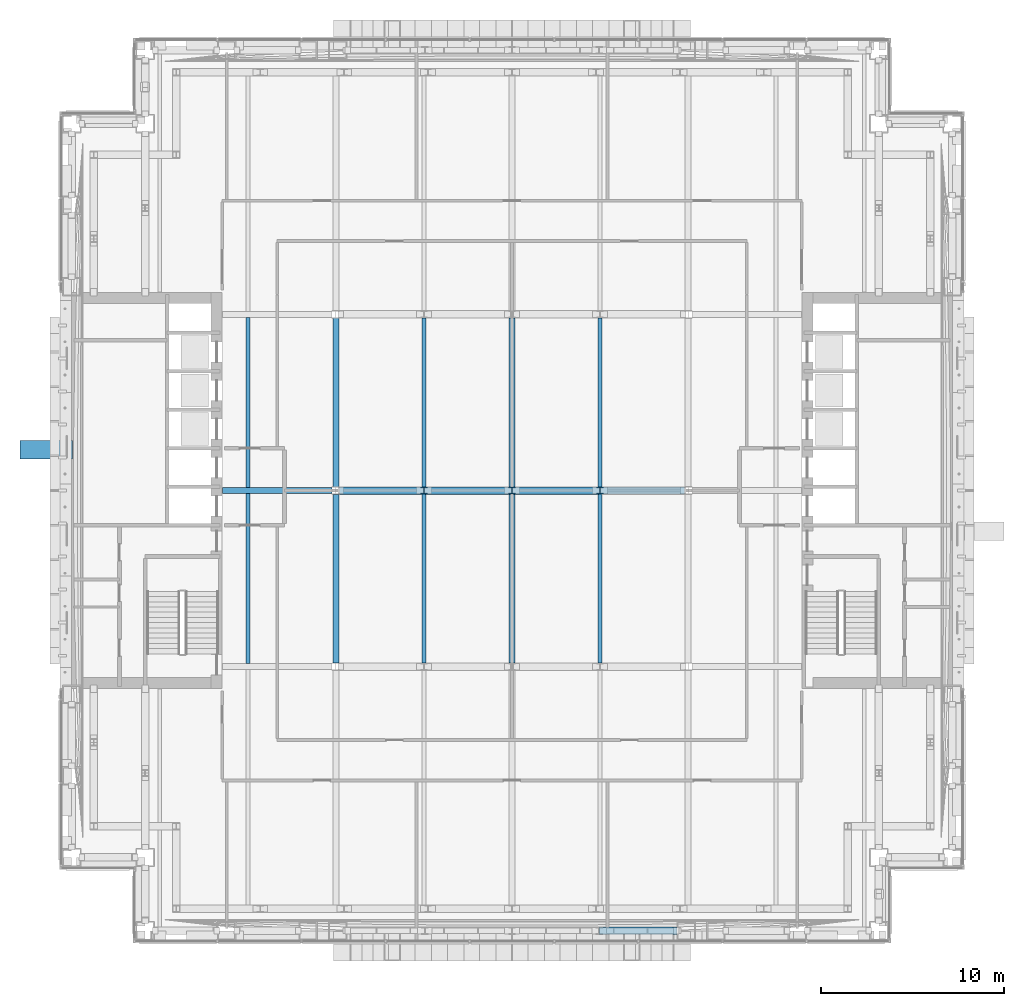
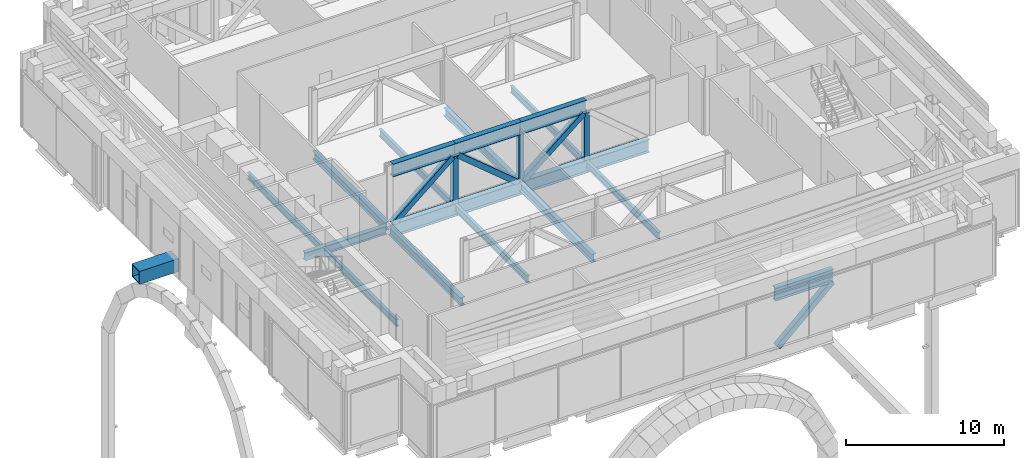
# One storey, part 4 of 39: 12 beams, 12 members.
"""IFC4 building model written with IfcOpenShell, lengths in metres."""

import ifcopenshell
import ifcopenshell.guid

model = None  # the IFC model being written
_history = None  # IfcOwnerHistory: only IFC2X3 demands one
_inside = {}  # id of a spatial element -> (the spatial element, [elements in it])
_under = {}  # id of a project, library or spatial element -> (it, [spatial elements below it])
_declared = {}  # id of a project -> (the project, [libraries it declares])
_typed = {}  # id of a type object -> (the type object, [elements of that type])
_made_of = {}  # id of a material, layer set ... -> (it, [elements and type objects made of it])


def new_model(schema):
    """Start an empty IFC model of exactly this schema.

    Asked for "IFC4X3", IfcOpenShell would pick the latest addendum, in which some entities
    have other attributes; the version numbers below select the first issue.
    IFC2X3 requires an IfcOwnerHistory on every rooted entity: one is made here for all.
    """
    global model, _history
    if schema == "IFC4X3":
        model = ifcopenshell.file(schema_version=(4, 3, 0, 0))
    else:
        model = ifcopenshell.file(schema=schema)
    _inside.clear()
    _under.clear()
    _declared.clear()
    _typed.clear()
    _made_of.clear()
    _history = None
    if model.schema == "IFC2X3":
        org = make("IfcOrganization", Name="unknown")
        user = make(
            "IfcPersonAndOrganization",
            ThePerson=make("IfcPerson", FamilyName="unknown"),
            TheOrganization=org,
        )
        app = make(
            "IfcApplication",
            ApplicationDeveloper=org,
            Version="unknown",
            ApplicationFullName="unknown",
            ApplicationIdentifier="unknown",
        )
        _history = make(
            "IfcOwnerHistory",
            OwningUser=user,
            OwningApplication=app,
            ChangeAction="ADDED",
            CreationDate=0,
        )
    return model


def make(cls, **values):
    """One entity of the class cls with the attributes given. An attribute that is None is left unset."""
    return model.create_entity(
        cls, **{name: value for name, value in values.items() if value is not None}
    )


def rooted(cls, **values):
    """An entity with a GlobalId (a new one), such as an element, a storey or a relation."""
    return make(cls, GlobalId=ifcopenshell.guid.new(), OwnerHistory=_history, **values)


def si_unit(unit_type, name, prefix=None):
    """IfcSIUnit, for example si_unit("LENGTHUNIT", "METRE", prefix="MILLI")."""
    return make("IfcSIUnit", UnitType=unit_type, Prefix=prefix, Name=name)


def assignment(units):
    """IfcUnitAssignment: the units of a project."""
    return None if units is None else make("IfcUnitAssignment", Units=units)


def point(xyz):
    """IfcCartesianPoint."""
    return None if xyz is None else make("IfcCartesianPoint", Coordinates=xyz)


def direction(xyz):
    """IfcDirection."""
    return None if xyz is None else make("IfcDirection", DirectionRatios=xyz)


def frame(location, z_axis=None, x_axis=None):
    """IfcAxis2Placement3D, a coordinate frame: its origin and axes. An axis left out is left unset."""
    return make(
        "IfcAxis2Placement3D",
        Location=point(location),
        Axis=direction(z_axis),
        RefDirection=direction(x_axis),
    )


def frame_2d(location, x_axis=None):
    """IfcAxis2Placement2D, a coordinate frame in the plane: its origin and x axis."""
    return make(
        "IfcAxis2Placement2D", Location=point(location), RefDirection=direction(x_axis)
    )


def origin():
    """The frame at (0, 0, 0) with its axes left unset."""
    return frame((0.0, 0.0, 0.0))


def origin_2d():
    """The frame at (0, 0) in the plane with its x axis left unset."""
    return frame_2d((0.0, 0.0))


def place(relative_to, where):
    """IfcLocalPlacement: puts the frame where relative to a parent placement (None: the world)."""
    return make(
        "IfcLocalPlacement", PlacementRelTo=relative_to, RelativePlacement=where
    )


def context(
    kind, dimensions, precision=None, world=None, true_north=None, identifier=None
):
    """IfcGeometricRepresentationContext, for example the 3D "Model" context."""
    return make(
        "IfcGeometricRepresentationContext",
        ContextIdentifier=identifier,
        ContextType=kind,
        CoordinateSpaceDimension=dimensions,
        Precision=precision,
        WorldCoordinateSystem=world,
        TrueNorth=true_north,
    )


def subcontext(parent, identifier, kind, view, scale=None):
    """IfcGeometricRepresentationSubContext, for example "Body" below "Model"."""
    return make(
        "IfcGeometricRepresentationSubContext",
        ContextIdentifier=identifier,
        ContextType=kind,
        ParentContext=parent,
        TargetScale=scale,
        TargetView=view,
    )


def project(units=None, contexts=None):
    """IfcProject with its units and contexts."""
    return rooted(
        "IfcProject",
        Name="project",
        RepresentationContexts=contexts,
        UnitsInContext=assignment(units),
    )


def spatial(cls, under=None, at=None, **own):
    """A site, building, storey or space (cls), placed at a placement, below another one or the project."""
    s = rooted(cls, ObjectPlacement=at, **own)
    if under is not None:
        _under.setdefault(under.id(), (under, []))[1].append(s)
    return s


def profile(cls, at=None, kind="AREA", **sizes):
    """A parametric profile (cls). Its sizes go by their IFC names, for example OverallWidth=200.0."""
    return make(cls, ProfileType=kind, Position=at, **sizes)


def hollow_rectangle(**sizes):
    """IfcRectangleHollowProfileDef."""
    return profile("IfcRectangleHollowProfileDef", **sizes)


def i_section(**sizes):
    """IfcIShapeProfileDef."""
    return profile("IfcIShapeProfileDef", **sizes)


def extrude(swept, where, along, depth):
    """IfcExtrudedAreaSolid: the profile swept, set in the frame where, extruded along a direction by depth."""
    return make(
        "IfcExtrudedAreaSolid",
        SweptArea=swept,
        Position=where,
        ExtrudedDirection=direction(along),
        Depth=depth,
    )


def shape(context_of_items, identifier, shape_type, items):
    """IfcShapeRepresentation: the items that make up one representation, for example the "Body"."""
    return make(
        "IfcShapeRepresentation",
        ContextOfItems=context_of_items,
        RepresentationIdentifier=identifier,
        RepresentationType=shape_type,
        Items=items,
    )


def material(Name=None, Category=None):
    """IfcMaterial."""
    return make("IfcMaterial", Name=Name, Category=Category)


def material_profile(
    of_material, cross_section, Name=None, Category=None, Priority=None
):
    """IfcMaterialProfile: a cross section and its material."""
    return make(
        "IfcMaterialProfile",
        Name=Name,
        Material=of_material,
        Profile=cross_section,
        Priority=Priority,
        Category=Category,
    )


def profile_set(profiles, Name=None, composite=None):
    """IfcMaterialProfileSet."""
    return make(
        "IfcMaterialProfileSet",
        Name=Name,
        MaterialProfiles=profiles,
        CompositeProfile=composite,
    )


def made_of(thing, what):
    """Note that an element or type object is made of a material, layer set ...; save() writes the relation."""
    if what is not None:
        _made_of.setdefault(what.id(), (what, []))[1].append(thing)
    return thing


def type_object(cls, material=None, **own):
    """A type object (cls), such as IfcWallType, which elements share."""
    return made_of(rooted(cls, **own), material)


def element(
    cls,
    number,
    at=None,
    inside=None,
    cuts=None,
    type_object=None,
    material=None,
    context=None,
    identifier="Body",
    shape_type=None,
    held_by="IfcProductDefinitionShape",
    body=None,
    shapes=None,
    **own,
):
    """One element of the class cls, such as IfcWall. Its Tag is "e" and its number.

    at: its placement. inside: the storey or other place that contains it. cuts: it is an
    opening in that element (IfcRelVoidsElement). A single representation is given by context,
    identifier, shape_type and body (its items); several are given by shapes. held_by: the class
    of the entity that holds the representations. save() writes the other relations.
    """
    e = rooted(cls, Tag="e%d" % number, ObjectPlacement=at, **own)
    if body is not None:
        shapes = [shape(context, identifier, shape_type, body)]
    if shapes is not None:
        e.Representation = make(held_by, Representations=shapes)
    if inside is not None:
        _inside.setdefault(inside.id(), (inside, []))[1].append(e)
    if cuts is not None:
        rooted(
            "IfcRelVoidsElement", RelatingBuildingElement=cuts, RelatedOpeningElement=e
        )
    if type_object is not None:
        _typed.setdefault(type_object.id(), (type_object, []))[1].append(e)
    return made_of(e, material)


def aggregate(whole, parts):
    """IfcRelAggregates: a whole, such as a stair, and the parts it consists of."""
    return rooted("IfcRelAggregates", RelatingObject=whole, RelatedObjects=parts)


def save(model, path):
    """Write the relations noted so far, then the file.

    IfcRelAggregates (storeys below a building ...), IfcRelContainedInSpatialStructure (elements
    in a storey), IfcRelDefinesByType, IfcRelAssociatesMaterial and IfcRelDeclares: one each for
    every whole, place, type object, material and project.
    """
    for whole, parts in _under.values():
        aggregate(whole, parts)
    for where, things in _inside.values():
        rooted(
            "IfcRelContainedInSpatialStructure",
            RelatedElements=things,
            RelatingStructure=where,
        )
    for kind, things in _typed.values():
        rooted("IfcRelDefinesByType", RelatedObjects=things, RelatingType=kind)
    for what, things in _made_of.values():
        rooted("IfcRelAssociatesMaterial", RelatedObjects=things, RelatingMaterial=what)
    for by, libraries in _declared.values():
        rooted("IfcRelDeclares", RelatingContext=by, RelatedDefinitions=libraries)
    model.write(path)


model = new_model("IFC4")

# Units and contexts
model_context = context("Model", 3, precision=1e-05, world=origin(), true_north=direction((0.0, 1.0)))
body_context = subcontext(model_context, "Body", "Model", "MODEL_VIEW")
ifc_project = project(units=[si_unit("LENGTHUNIT", "METRE"), si_unit("AREAUNIT", "SQUARE_METRE"), si_unit("VOLUMEUNIT", "CUBIC_METRE"), si_unit("PLANEANGLEUNIT", "RADIAN"), si_unit("MASSUNIT", "GRAM", prefix="KILO")], contexts=[model_context])

# Site, building, storey
site_placement = place(None, origin())
site = spatial("IfcSite", under=ifc_project, at=site_placement, CompositionType="ELEMENT")
building_placement = place(site_placement, origin())
building = spatial("IfcBuilding", under=site, at=building_placement, Name="Cobrizo Arcos Hotel Tower", CompositionType="ELEMENT")
storey_placement = place(building_placement, frame((0.0, 0.0, 84.5)))
storey = spatial("IfcBuildingStorey", under=building, at=storey_placement, Name="L20", CompositionType="ELEMENT", Elevation=84.5)

# Beam
ifc_material_1 = material(Name="Steel ASTM A572 Grade 50", Category="steel")
ifc_material_profile_1 = material_profile(ifc_material_1, hollow_rectangle(XDim=1.0, YDim=1.0, WallThickness=0.06005859375, at=origin_2d()), Name="BOX 1000X1000X60")
ifc_profile_set_1 = profile_set([ifc_material_profile_1], Name="Steel ASTM A572 Grade 50")
beam_type_1 = type_object("IfcBeamType", Name="BOX 1000X1000X60 brace connector strut", PredefinedType="BEAM", material=ifc_profile_set_1)
beam_1_placement = place(storey_placement, frame((-23.949951171875, 2.22216796875, 0.5), z_axis=(-1.0, 0.0, 0.0), x_axis=(0.0, -1.0, 0.0)))
element("IfcBeam", 1, at=beam_1_placement, inside=storey, type_object=beam_type_1, Name="Perimeter brace stub BS1, zone Z1, west face, offset +2.22 m, L20", PredefinedType="BEAM", context=body_context, shape_type="SweptSolid", body=[
    extrude(hollow_rectangle(XDim=1.0, YDim=1.0, WallThickness=0.06005859375, at=origin_2d()), origin(), (0.0, 0.0, 1.0), 2.8701171875),
])

# Members
ifc_material_2 = material(Name="Steel ASTM A500 Grade C", Category="steel")
ifc_material_profile_2 = material_profile(ifc_material_2, hollow_rectangle(XDim=0.406494140625, YDim=0.406494140625, WallThickness=0.014892578125, at=origin_2d()), Name="HSS16X16X5/8")
ifc_profile_set_2 = profile_set([ifc_material_profile_2], Name="Steel ASTM A500 Grade C")
member_type_1 = type_object("IfcMemberType", Name="HSS16X16X5/8 truss diagonal", PredefinedType="BRACE", material=ifc_profile_set_2)
member_1_placement = place(storey_placement, frame((4.949951171875, -24.0, -0.300048828125), z_axis=(0.735279996006, 0.0, 0.677763474579), x_axis=(0.0, 1.0, 0.0)))
element("IfcMember", 2, at=member_1_placement, inside=storey, type_object=member_type_1, Name="Belt truss diagonal TD1, L20, no. 006", PredefinedType="BRACE", context=body_context, shape_type="SweptSolid", body=[
    extrude(hollow_rectangle(XDim=0.406494140625, YDim=0.406494140625, WallThickness=0.014892578125, at=origin_2d()), origin(), (0.0, 0.0, 1.0), 5.399169921875),
])
member_2_placement = place(storey_placement, frame((-9.3154296875, 0.0, -0.300048828125), z_axis=(0.762696810588, 0.0, 0.646756194496), x_axis=(0.0, 1.0, 0.0)))
element("IfcMember", 3, at=member_2_placement, inside=storey, type_object=member_type_1, Name="Outrigger diagonal TD1, L20, no. 017", PredefinedType="BRACE", context=body_context, shape_type="SweptSolid", body=[
    extrude(hollow_rectangle(XDim=0.406494140625, YDim=0.406494140625, WallThickness=0.014892578125, at=origin_2d()), origin(), (0.0, 0.0, 1.0), 5.658203125),
])
for number, where, z_axis, x_axis, name in (
    (4, (-4.60009765625, 0.0, 3.359375), (0.768853804664, 0.0, -0.639424606231), (0.0, 1.0, 0.0), "Outrigger diagonal TD1, L20, no. 018"),
    (5, (0.199951171875, 0.0, -0.300048828125), (0.768853804664, 0.0, 0.639424606231), (0.0, 1.0, 0.0), "Outrigger diagonal TD1, L20, no. 019"),
):
    element("IfcMember", number, at=place(storey_placement, frame(where, z_axis=z_axis, x_axis=x_axis)), inside=storey, type_object=member_type_1, Name=name, PredefinedType="BRACE", context=body_context, shape_type="SweptSolid", body=[
        extrude(hollow_rectangle(XDim=0.406494140625, YDim=0.406494140625, WallThickness=0.014892578125, at=origin_2d()), origin(), (0.0, 0.0, 1.0), 5.722900390625),
    ])
ifc_material_3 = material(Name="Steel ASTM A992 Grade 50", Category="steel")
ifc_material_profile_3 = material_profile(ifc_material_3, i_section(OverallWidth=0.373291015625, OverallDepth=0.373291015625, WebThickness=0.016357421875, FlangeThickness=0.026123046875, at=origin_2d()), Name="W14X132")
ifc_profile_set_3 = profile_set([ifc_material_profile_3], Name="Steel ASTM A992 Grade 50")
member_type_2 = type_object("IfcMemberType", Name="W14X132 truss post", PredefinedType="POST", material=ifc_profile_set_3)
for number, where, z_axis, x_axis, name in (
    (6, (-4.800048828125, 0.0, -0.300048828125), (0.0, 0.0, 1.0), (1.0, 0.0, 0.0), "Truss post TP1, L20, no. 044"),
    (7, (0.0, 0.0, -0.300048828125), (0.0, 0.0, 1.0), (1.0, 0.0, 0.0), "Truss post TP1, L20, no. 045"),
    (8, (4.800048828125, 0.0, -0.300048828125), (0.0, 0.0, 1.0), (1.0, 0.0, 0.0), "Truss post TP1, L20, no. 046"),
):
    element("IfcMember", number, at=place(storey_placement, frame(where, z_axis=z_axis, x_axis=x_axis)), inside=storey, type_object=member_type_2, Name=name, PredefinedType="POST", context=body_context, shape_type="SweptSolid", body=[
        extrude(i_section(OverallWidth=0.373291015625, OverallDepth=0.373291015625, WebThickness=0.016357421875, FlangeThickness=0.026123046875, at=origin_2d()), origin(), (0.0, 0.0, 1.0), 3.659423828125),
    ])

# Beams
ifc_material_profile_4 = material_profile(ifc_material_3, i_section(OverallWidth=0.209228515625, OverallDepth=0.533447265625, WebThickness=0.01025390625, FlangeThickness=0.015625, at=origin_2d()), Name="W21X62")
ifc_profile_set_4 = profile_set([ifc_material_profile_4], Name="Steel ASTM A992 Grade 50")
beam_type_2 = type_object("IfcBeamType", Name="W21X62 joist", PredefinedType="JOIST", material=ifc_profile_set_4)
for number, where, z_axis, x_axis, name in (
    (9, (-14.39990234375, -9.43603515625, -0.566650390625), (0.0, 1.0, 0.0), (-1.0, 0.0, 0.0), "Floor joist J1, L20, no. 006"),
    (10, (-14.39990234375, 0.163818359375, -0.566650390625), (0.0, 1.0, 0.0), (-1.0, 0.0, 0.0), "Floor joist J1, L20, no. 007"),
):
    element("IfcBeam", number, at=place(storey_placement, frame(where, z_axis=z_axis, x_axis=x_axis)), inside=storey, type_object=beam_type_2, Name=name, PredefinedType="JOIST", context=body_context, shape_type="SweptSolid", body=[
        extrude(i_section(OverallWidth=0.209228515625, OverallDepth=0.533447265625, WebThickness=0.01025390625, FlangeThickness=0.015625, at=origin_2d()), origin(), (0.0, 0.0, 1.0), 9.272216796875),
    ])
for number, where, z_axis, x_axis, name in (
    (11, (-4.800048828125, -9.3994140625, -0.566650390625), (0.0, 1.0, 0.0), (-1.0, 0.0, 0.0), "Floor joist J1, L20, no. 010"),
    (12, (-4.800048828125, 0.200439453125, -0.566650390625), (0.0, 1.0, 0.0), (-1.0, 0.0, 0.0), "Floor joist J1, L20, no. 011"),
    (13, (4.800048828125, -9.3994140625, -0.566650390625), (0.0, 1.0, 0.0), (-1.0, 0.0, 0.0), "Floor joist J1, L20, no. 014"),
    (14, (4.800048828125, 0.200439453125, -0.566650390625), (0.0, 1.0, 0.0), (-1.0, 0.0, 0.0), "Floor joist J1, L20, no. 015"),
):
    element("IfcBeam", number, at=place(storey_placement, frame(where, z_axis=z_axis, x_axis=x_axis)), inside=storey, type_object=beam_type_2, Name=name, PredefinedType="JOIST", context=body_context, shape_type="SweptSolid", body=[
        extrude(i_section(OverallWidth=0.209228515625, OverallDepth=0.533447265625, WebThickness=0.01025390625, FlangeThickness=0.015625, at=origin_2d()), origin(), (0.0, 0.0, 1.0), 9.198974609375),
    ])
ifc_material_profile_5 = material_profile(ifc_material_3, i_section(OverallWidth=0.32763671875, OverallDepth=0.622314453125, WebThickness=0.015380859375, FlangeThickness=0.0244140625, at=origin_2d()), Name="W24X131")
ifc_profile_set_5 = profile_set([ifc_material_profile_5], Name="Steel ASTM A992 Grade 50")
beam_type_3 = type_object("IfcBeamType", Name="W24X131 girder", PredefinedType="BEAM", material=ifc_profile_set_5)
beam_2_placement = place(storey_placement, frame((-15.7900390625, 0.0, -0.611083984375), z_axis=(1.0, 0.0, 0.0), x_axis=(0.0, 1.0, 0.0)))
element("IfcBeam", 15, at=beam_2_placement, inside=storey, type_object=beam_type_3, Name="Floor girder G1, L20, no. 003", PredefinedType="BEAM", context=body_context, shape_type="SweptSolid", body=[
    extrude(i_section(OverallWidth=0.32763671875, OverallDepth=0.622314453125, WebThickness=0.015380859375, FlangeThickness=0.0244140625, at=origin_2d()), origin(), (0.0, 0.0, 1.0), 5.985595703125),
])
for number, where, z_axis, x_axis, name in (
    (16, (-9.60009765625, -9.3955078125, -0.611083984375), (0.0, 1.0, 0.0), (-1.0, 0.0, 0.0), "Floor girder G1, L20, no. 008"),
    (17, (-9.60009765625, 0.204345703125, -0.611083984375), (0.0, 1.0, 0.0), (-1.0, 0.0, 0.0), "Floor girder G1, L20, no. 009"),
):
    element("IfcBeam", number, at=place(storey_placement, frame(where, z_axis=z_axis, x_axis=x_axis)), inside=storey, type_object=beam_type_3, Name=name, PredefinedType="BEAM", context=body_context, shape_type="SweptSolid", body=[
        extrude(i_section(OverallWidth=0.32763671875, OverallDepth=0.622314453125, WebThickness=0.015380859375, FlangeThickness=0.0244140625, at=origin_2d()), origin(), (0.0, 0.0, 1.0), 9.191162109375),
    ])
for number, where, z_axis, x_axis, name in (
    (18, (0.0, -9.3994140625, -0.611083984375), (0.0, 1.0, 0.0), (-1.0, 0.0, 0.0), "Floor girder G1, L20, no. 012"),
    (19, (0.0, 0.200439453125, -0.611083984375), (0.0, 1.0, 0.0), (-1.0, 0.0, 0.0), "Floor girder G1, L20, no. 013"),
):
    element("IfcBeam", number, at=place(storey_placement, frame(where, z_axis=z_axis, x_axis=x_axis)), inside=storey, type_object=beam_type_3, Name=name, PredefinedType="BEAM", context=body_context, shape_type="SweptSolid", body=[
        extrude(i_section(OverallWidth=0.32763671875, OverallDepth=0.622314453125, WebThickness=0.015380859375, FlangeThickness=0.0244140625, at=origin_2d()), origin(), (0.0, 0.0, 1.0), 9.198974609375),
    ])

# Members
ifc_material_profile_6 = material_profile(ifc_material_3, i_section(OverallWidth=0.4013671875, OverallDepth=0.990478515625, WebThickness=0.0166015625, FlangeThickness=0.025390625, at=origin_2d()), Name="W40X215")
ifc_profile_set_6 = profile_set([ifc_material_profile_6], Name="Steel ASTM A992 Grade 50")
member_type_3 = type_object("IfcMemberType", Name="W40X215 belt truss chord", PredefinedType="CHORD", material=ifc_profile_set_6)
member_3_placement = place(storey_placement, frame((4.75, -24.0, 3.854736328125), z_axis=(1.0, 0.0, 0.0), x_axis=(0.0, 1.0, 0.0)))
element("IfcMember", 20, at=member_3_placement, inside=storey, type_object=member_type_3, Name="Belt truss top chord TC1, L20, no. 006", PredefinedType="CHORD", context=body_context, shape_type="SweptSolid", body=[
    extrude(i_section(OverallWidth=0.4013671875, OverallDepth=0.990478515625, WebThickness=0.0166015625, FlangeThickness=0.025390625, at=origin_2d()), origin(), (0.0, 0.0, 1.0), 4.25),
])
member_4_placement = place(storey_placement, frame((-9.3955078125, 0.0, -0.79541015625), z_axis=(1.0, 0.0, 0.0), x_axis=(0.0, 1.0, 0.0)))
element("IfcMember", 21, at=member_4_placement, inside=storey, type_object=member_type_3, Name="Outrigger bottom chord TC1, L20, no. 010", PredefinedType="CHORD", context=body_context, shape_type="SweptSolid", body=[
    extrude(i_section(OverallWidth=0.4013671875, OverallDepth=0.990478515625, WebThickness=0.0166015625, FlangeThickness=0.025390625, at=origin_2d()), origin(), (0.0, 0.0, 1.0), 18.791015625),
])
member_5_placement = place(storey_placement, frame((-9.3955078125, 0.0, 3.854736328125), z_axis=(1.0, 0.0, 0.0), x_axis=(0.0, 1.0, 0.0)))
element("IfcMember", 22, at=member_5_placement, inside=storey, type_object=member_type_3, Name="Outrigger top chord TC1, L20, no. 017", PredefinedType="CHORD", context=body_context, shape_type="SweptSolid", body=[
    extrude(i_section(OverallWidth=0.4013671875, OverallDepth=0.990478515625, WebThickness=0.0166015625, FlangeThickness=0.025390625, at=origin_2d()), origin(), (0.0, 0.0, 1.0), 4.595458984375),
])
for number, where, z_axis, x_axis, name in (
    (23, (-4.800048828125, 0.0, 3.854736328125), (1.0, 0.0, 0.0), (0.0, 1.0, 0.0), "Outrigger top chord TC1, L20, no. 018"),
    (24, (0.0, 0.0, 3.854736328125), (1.0, 0.0, 0.0), (0.0, 1.0, 0.0), "Outrigger top chord TC1, L20, no. 019"),
):
    element("IfcMember", number, at=place(storey_placement, frame(where, z_axis=z_axis, x_axis=x_axis)), inside=storey, type_object=member_type_3, Name=name, PredefinedType="CHORD", context=body_context, shape_type="SweptSolid", body=[
        extrude(i_section(OverallWidth=0.4013671875, OverallDepth=0.990478515625, WebThickness=0.0166015625, FlangeThickness=0.025390625, at=origin_2d()), origin(), (0.0, 0.0, 1.0), 4.800048828125),
    ])

save(model, "model.ifc")
